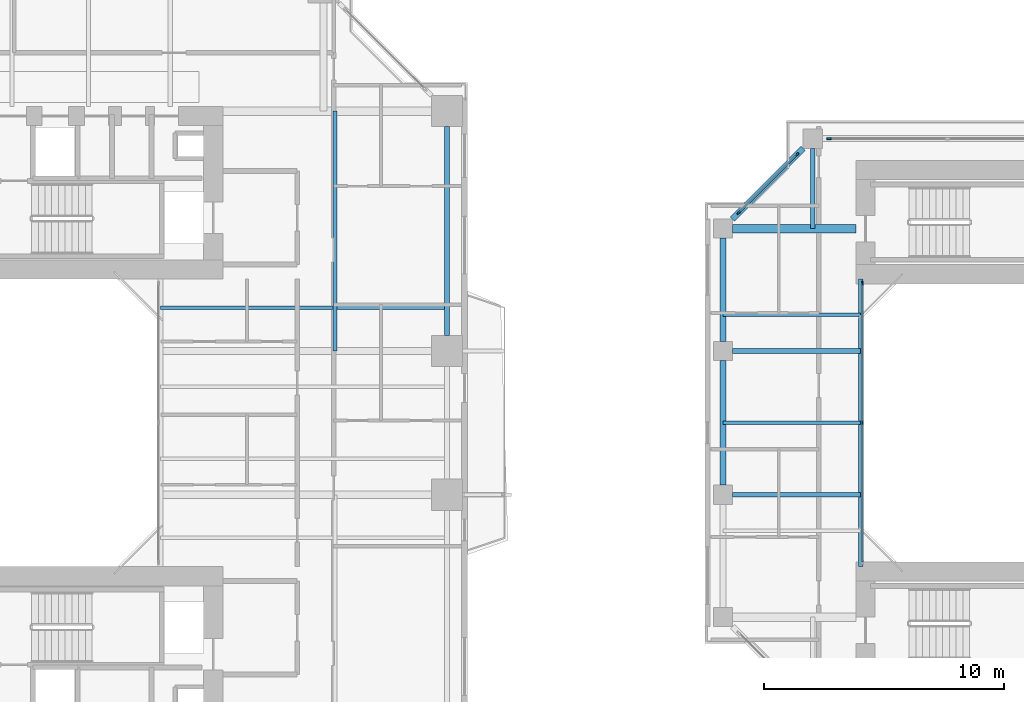
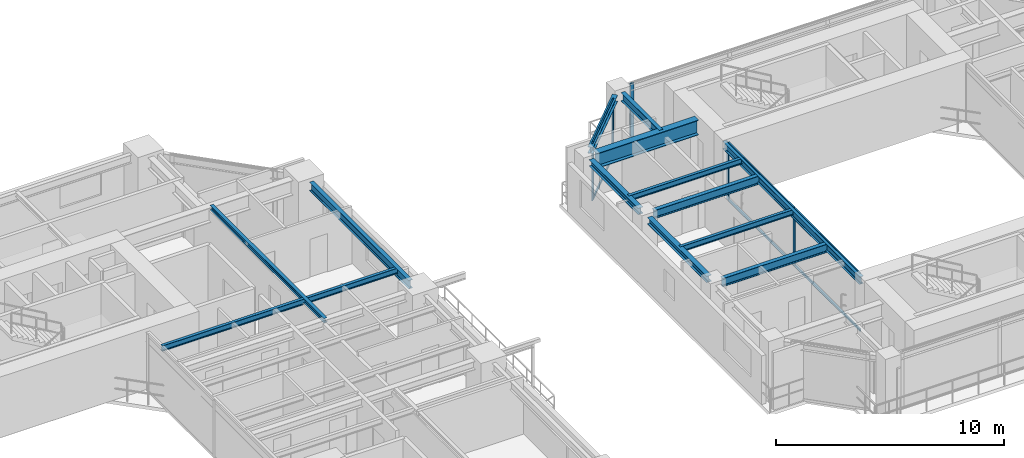
# One storey, part 8 of 23: 13 beams, 11 members, 3 elements without a shape of their own.
"""IFC4 building model written with IfcOpenShell, lengths in metres."""

from ifc_helpers import new_model, si_unit, direction, frame, origin, origin_2d, place, context, subcontext, project, spatial, rectangle, i_section, extrude, source, transform, mapped, material, layer, layer_set, material_profile, profile_set, type_object, element, aggregate, save


model = new_model("IFC4")

# Units and contexts
model_context = context("Model", 3, precision=1e-05, world=origin(), true_north=direction((0.0, 1.0)))
body_context = subcontext(model_context, "Body", "Model", "MODEL_VIEW")
ifc_project = project(units=[si_unit("LENGTHUNIT", "METRE"), si_unit("AREAUNIT", "SQUARE_METRE"), si_unit("VOLUMEUNIT", "CUBIC_METRE"), si_unit("PLANEANGLEUNIT", "RADIAN"), si_unit("MASSUNIT", "GRAM", prefix="KILO"), si_unit("THERMODYNAMICTEMPERATUREUNIT", "KELVIN"), si_unit("POWERUNIT", "WATT")], contexts=[model_context])

# Site, building, storey
site_placement = place(None, origin())
site = spatial("IfcSite", under=ifc_project, at=site_placement, CompositionType="ELEMENT")
building_placement = place(site_placement, origin())
building = spatial("IfcBuilding", under=site, at=building_placement, Name="Qiaomeng Ring Towers", CompositionType="ELEMENT")
storey_placement = place(building_placement, frame((0.0, 0.0, 79.5)))
storey = spatial("IfcBuildingStorey", under=building, at=storey_placement, Name="L22", CompositionType="ELEMENT", Elevation=79.5)

# Beams
ifc_material_1 = material(Name="Steel Q355B", Category="steel")
ifc_material_profile_1 = material_profile(ifc_material_1, i_section(OverallWidth=0.199951171875, OverallDepth=0.449951171875, WebThickness=0.009033203125, FlangeThickness=0.013916015625, FilletRadius=0.01806640625, at=origin_2d()), Name="HN 450x200x9x14")
ifc_profile_set_1 = profile_set([ifc_material_profile_1], Name="Steel Q355B")
beam_type_1 = type_object("IfcBeamType", Name="STR-BM-HN450", PredefinedType="SPANDREL", material=ifc_profile_set_1)
shared_shape_1 = source(origin(), body_context, "Body", "SweptSolid", [
    extrude(i_section(OverallWidth=0.199951171875, OverallDepth=0.449951171875, WebThickness=0.009033203125, FlangeThickness=0.013916015625, FilletRadius=0.01806640625, at=origin_2d()), origin(), (0.0, 0.0, 1.0), 8.7021484375),
])
beam_1_placement = place(storey_placement, frame((37.14990234375, 26.64892578125, 2.844970703125), z_axis=(0.0, 1.0, 0.0), x_axis=(-1.0, 0.0, 0.0)))
element("IfcBeam", 1, at=beam_1_placement, inside=storey, type_object=beam_type_1, Name="L22 beam STR-SP-L22-T1-E3-E4", PredefinedType="SPANDREL", context=body_context, shape_type="MappedRepresentation", body=[
    mapped(shared_shape_1, transform((0.0, 0.0, 0.0), x_axis=(1.0, 0.0, 0.0), y_axis=(0.0, 1.0, 0.0), z_axis=(0.0, 0.0, 1.0), scale=1.0)),
])
ifc_material_profile_2 = material_profile(ifc_material_1, i_section(OverallWidth=0.199951171875, OverallDepth=0.39990234375, WebThickness=0.008056640625, FlangeThickness=0.012939453125, FilletRadius=0.01611328125, at=origin_2d()), Name="HN 400x200x8x13")
ifc_profile_set_2 = profile_set([ifc_material_profile_2], Name="Steel Q355B")
beam_type_2 = type_object("IfcBeamType", Name="STR-BM-HN400", PredefinedType="SPANDREL", material=ifc_profile_set_2)
shared_shape_2 = source(origin(), body_context, "Body", "SweptSolid", [
    extrude(i_section(OverallWidth=0.199951171875, OverallDepth=0.39990234375, WebThickness=0.008056640625, FlangeThickness=0.012939453125, FilletRadius=0.01611328125, at=origin_2d()), origin(), (0.0, 0.0, 1.0), 12.0),
])
beam_2_placement = place(storey_placement, frame((54.39990234375, 17.0, 2.8701171875), z_axis=(0.0, 1.0, 0.0), x_axis=(-1.0, 0.0, 0.0)))
element("IfcBeam", 2, at=beam_2_placement, inside=storey, type_object=beam_type_2, Name="L22 beam STR-BM-L22-T2-WELL-W", PredefinedType="SPANDREL", context=body_context, shape_type="MappedRepresentation", body=[
    mapped(shared_shape_2, transform((0.0, 0.0, 0.0), x_axis=(1.0, 0.0, 0.0), y_axis=(0.0, 1.0, 0.0), z_axis=(0.0, 0.0, 1.0), scale=1.0)),
])
ifc_material_profile_3 = material_profile(ifc_material_1, i_section(OverallWidth=0.14990234375, OverallDepth=0.300048828125, WebThickness=0.006591796875, FlangeThickness=0.009033203125, FilletRadius=0.012939453125, at=origin_2d()), Name="HN 300x150x6.5x9")
ifc_profile_set_3 = profile_set([ifc_material_profile_3], Name="Steel Q355B")
beam_type_3 = type_object("IfcBeamType", Name="STR-BM-HN300", PredefinedType="JOIST", material=ifc_profile_set_3)
shared_shape_3 = source(origin(), body_context, "Body", "SweptSolid", [
    extrude(i_section(OverallWidth=0.14990234375, OverallDepth=0.300048828125, WebThickness=0.006591796875, FlangeThickness=0.009033203125, FilletRadius=0.012939453125, at=origin_2d()), origin(), (0.0, 0.0, 1.0), 11.949951171875),
])
beam_3_placement = place(storey_placement, frame((25.199951171875, 27.800048828125, 2.919921875), z_axis=(1.0, 0.0, 0.0), x_axis=(0.0, 1.0, 0.0)))
element("IfcBeam", 3, at=beam_3_placement, inside=storey, type_object=beam_type_3, Name="L22 beam STR-JST-L22-T1E-4", PredefinedType="JOIST", context=body_context, shape_type="MappedRepresentation", body=[
    mapped(shared_shape_3, transform((0.0, 0.0, 0.0), x_axis=(1.0, 0.0, 0.0), y_axis=(0.0, 1.0, 0.0), z_axis=(0.0, 0.0, 1.0), scale=1.0)),
])
ifc_material_profile_4 = material_profile(ifc_material_1, i_section(OverallWidth=0.175048828125, OverallDepth=0.243896484375, WebThickness=0.007080078125, FlangeThickness=0.010986328125, FilletRadius=0.01611328125, at=origin_2d()), Name="HM 244x175x7x11")
ifc_profile_set_4 = profile_set([ifc_material_profile_4], Name="Steel Q355B")
beam_type_4 = type_object("IfcBeamType", Name="STR-BM-HM244", PredefinedType="JOIST", material=ifc_profile_set_4)
shared_shape_4 = source(origin(), body_context, "Body", "SweptSolid", [
    extrude(i_section(OverallWidth=0.175048828125, OverallDepth=0.243896484375, WebThickness=0.007080078125, FlangeThickness=0.010986328125, FilletRadius=0.01611328125, at=origin_2d()), origin(), (0.0, 0.0, 1.0), 10.0),
])
beam_4_placement = place(storey_placement, frame((32.47509765625, 26.0, 2.947998046875), z_axis=(0.0, 1.0, 0.0), x_axis=(-1.0, 0.0, 0.0)))
element("IfcBeam", 4, at=beam_4_placement, inside=storey, type_object=beam_type_4, Name="L22 beam STR-JST-L22-T1C-EN", PredefinedType="JOIST", context=body_context, shape_type="MappedRepresentation", body=[
    mapped(shared_shape_4, transform((0.0, 0.0, 0.0), x_axis=(1.0, 0.0, 0.0), y_axis=(0.0, 1.0, 0.0), z_axis=(0.0, 0.0, 1.0), scale=1.0)),
])
ifc_material_profile_5 = material_profile(ifc_material_1, i_section(OverallWidth=0.25, OverallDepth=0.340087890625, WebThickness=0.009033203125, FlangeThickness=0.013916015625, FilletRadius=0.02001953125, at=origin_2d()), Name="HM 340x250x9x14")
ifc_profile_set_5 = profile_set([ifc_material_profile_5], Name="Steel Q355B")
beam_type_5 = type_object("IfcBeamType", Name="STR-BM-HM340", PredefinedType="SPANDREL", material=ifc_profile_set_5)
shared_shape_5 = source(origin(), body_context, "Body", "SweptSolid", [
    extrude(i_section(OverallWidth=0.25, OverallDepth=0.340087890625, WebThickness=0.009033203125, FlangeThickness=0.013916015625, FilletRadius=0.02001953125, at=origin_2d()), origin(), (0.0, 0.0, 1.0), 4.173828125),
])
beam_5_placement = place(storey_placement, frame((52.000732421875, 34.45068359375, 2.89990234375), z_axis=(-0.707106781187, -0.707106781187, 0.0), x_axis=(0.707106781187, -0.707106781187, 0.0)))
element("IfcBeam", 5, at=beam_5_placement, inside=storey, type_object=beam_type_5, Name="L22 beam STR-SP-L22-T2-N1-W4", PredefinedType="SPANDREL", context=body_context, shape_type="MappedRepresentation", body=[
    mapped(shared_shape_5, transform((0.0, 0.0, 0.0), x_axis=(1.0, 0.0, 0.0), y_axis=(0.0, 1.0, 0.0), z_axis=(0.0, 0.0, 1.0), scale=1.0)),
])
shared_shape_6 = source(origin(), body_context, "Body", "SweptSolid", [
    extrude(i_section(OverallWidth=0.25, OverallDepth=0.340087890625, WebThickness=0.009033203125, FlangeThickness=0.013916015625, FilletRadius=0.02001953125, at=origin_2d()), origin(), (0.0, 0.0, 1.0), 4.302001953125),
])
beam_6_placement = place(storey_placement, frame((48.64990234375, 30.700927734375, 2.89990234375), z_axis=(0.0, -1.0, 0.0), x_axis=(1.0, 0.0, 0.0)))
element("IfcBeam", 6, at=beam_6_placement, inside=storey, type_object=beam_type_5, Name="L22 beam STR-SP-L22-T2-W4-W3", PredefinedType="SPANDREL", context=body_context, shape_type="MappedRepresentation", body=[
    mapped(shared_shape_6, transform((0.0, 0.0, 0.0), x_axis=(1.0, 0.0, 0.0), y_axis=(0.0, 1.0, 0.0), z_axis=(0.0, 0.0, 1.0), scale=1.0)),
])
shared_shape_7 = source(origin(), body_context, "Body", "SweptSolid", [
    extrude(i_section(OverallWidth=0.25, OverallDepth=0.340087890625, WebThickness=0.009033203125, FlangeThickness=0.013916015625, FilletRadius=0.02001953125, at=origin_2d()), origin(), (0.0, 0.0, 1.0), 5.2021484375),
])
beam_7_placement = place(storey_placement, frame((48.64990234375, 25.60107421875, 2.89990234375), z_axis=(0.0, -1.0, 0.0), x_axis=(1.0, 0.0, 0.0)))
element("IfcBeam", 7, at=beam_7_placement, inside=storey, type_object=beam_type_5, Name="L22 beam STR-SP-L22-T2-W3-W2", PredefinedType="SPANDREL", context=body_context, shape_type="MappedRepresentation", body=[
    mapped(shared_shape_7, transform((0.0, 0.0, 0.0), x_axis=(1.0, 0.0, 0.0), y_axis=(0.0, 1.0, 0.0), z_axis=(0.0, 0.0, 1.0), scale=1.0)),
])
ifc_material_2 = material(Name="Steel Q390GJC", Category="steel")
ifc_material_profile_6 = material_profile(ifc_material_2, i_section(OverallWidth=0.35009765625, OverallDepth=0.800048828125, WebThickness=0.01611328125, FlangeThickness=0.028076171875, at=origin_2d()), Name="WH 800x350x16x28")
ifc_profile_set_6 = profile_set([ifc_material_profile_6], Name="Steel Q390GJC")
beam_type_6 = type_object("IfcBeamType", Name="STR-BM-WH800", PredefinedType="BEAM", material=ifc_profile_set_6)
shared_shape_8 = source(origin(), body_context, "Body", "SweptSolid", [
    extrude(i_section(OverallWidth=0.35009765625, OverallDepth=0.800048828125, WebThickness=0.01611328125, FlangeThickness=0.028076171875, at=origin_2d()), origin(), (0.0, 0.0, 1.0), 5.15087890625),
])
beam_8_placement = place(storey_placement, frame((49.049072265625, 31.10009765625, 2.669921875), z_axis=(1.0, 0.0, 0.0), x_axis=(0.0, 1.0, 0.0)))
element("IfcBeam", 8, at=beam_8_placement, inside=storey, type_object=beam_type_6, Name="L22 beam STR-BM-L22-T2-RAD-W4", PredefinedType="BEAM", context=body_context, shape_type="MappedRepresentation", body=[
    mapped(shared_shape_8, transform((0.0, 0.0, 0.0), x_axis=(1.0, 0.0, 0.0), y_axis=(0.0, 1.0, 0.0), z_axis=(0.0, 0.0, 1.0), scale=1.0)),
])
shared_shape_9 = source(origin(), body_context, "Body", "SweptSolid", [
    extrude(i_section(OverallWidth=0.199951171875, OverallDepth=0.449951171875, WebThickness=0.009033203125, FlangeThickness=0.013916015625, FilletRadius=0.01806640625, at=origin_2d()), origin(), (0.0, 0.0, 1.0), 5.350830078125),
])
for number, where, z_axis, x_axis, name in (
    (9, (49.049072265625, 20.0, 2.844970703125), (1.0, 0.0, 0.0), (0.0, 1.0, 0.0), "L22 beam STR-BM-L22-T2-RAD-W2"),
    (10, (49.049072265625, 26.0, 2.844970703125), (1.0, 0.0, 0.0), (0.0, 1.0, 0.0), "L22 beam STR-BM-L22-T2-RAD-W3"),
):
    element("IfcBeam", number, at=place(storey_placement, frame(where, z_axis=z_axis, x_axis=x_axis)), inside=storey, type_object=beam_type_1, Name=name, PredefinedType="SPANDREL", context=body_context, shape_type="MappedRepresentation", body=[
        mapped(shared_shape_9, transform((0.0, 0.0, 0.0), x_axis=(1.0, 0.0, 0.0), y_axis=(0.0, 1.0, 0.0), z_axis=(0.0, 0.0, 1.0), scale=1.0)),
    ])
shared_shape_10 = source(origin(), body_context, "Body", "SweptSolid", [
    extrude(i_section(OverallWidth=0.199951171875, OverallDepth=0.449951171875, WebThickness=0.009033203125, FlangeThickness=0.013916015625, FilletRadius=0.01806640625, at=origin_2d()), origin(), (0.0, 0.0, 1.0), 3.350830078125),
])
beam_9_placement = place(storey_placement, frame((52.39990234375, 34.450927734375, 2.844970703125), z_axis=(0.0, -1.0, 0.0), x_axis=(1.0, 0.0, 0.0)))
element("IfcBeam", 11, at=beam_9_placement, inside=storey, type_object=beam_type_1, Name="L22 beam STR-BM-L22-T2-RAD-N1", PredefinedType="SPANDREL", context=body_context, shape_type="MappedRepresentation", body=[
    mapped(shared_shape_10, transform((0.0, 0.0, 0.0), x_axis=(1.0, 0.0, 0.0), y_axis=(0.0, 1.0, 0.0), z_axis=(0.0, 0.0, 1.0), scale=1.0)),
])
shared_shape_11 = source(origin(), body_context, "Body", "SweptSolid", [
    extrude(i_section(OverallWidth=0.14990234375, OverallDepth=0.300048828125, WebThickness=0.006591796875, FlangeThickness=0.009033203125, FilletRadius=0.012939453125, at=origin_2d()), origin(), (0.0, 0.0, 1.0), 5.75),
])
for number, where, z_axis, x_axis, name in (
    (12, (48.64990234375, 23.0, 2.919921875), (1.0, 0.0, 0.0), (0.0, 1.0, 0.0), "L22 beam STR-JST-L22-T2W-2"),
    (13, (48.64990234375, 27.5, 2.919921875), (1.0, 0.0, 0.0), (0.0, 1.0, 0.0), "L22 beam STR-JST-L22-T2W-3"),
):
    element("IfcBeam", number, at=place(storey_placement, frame(where, z_axis=z_axis, x_axis=x_axis)), inside=storey, type_object=beam_type_3, Name=name, PredefinedType="JOIST", context=body_context, shape_type="MappedRepresentation", body=[
        mapped(shared_shape_11, transform((0.0, 0.0, 0.0), x_axis=(1.0, 0.0, 0.0), y_axis=(0.0, 1.0, 0.0), z_axis=(0.0, 0.0, 1.0), scale=1.0)),
    ])

# Curtain wall, members
ifc_material_3 = material(Name="Fluorocarbon dark-grey aluminium", Category="aluminium")
ifc_layer_1 = layer(ifc_material_3, 0.139892578125, Name="Fluorocarbon dark-grey aluminium")
ifc_layer_set_1 = layer_set([ifc_layer_1], Name="Fluorocarbon dark-grey aluminium")
curtain_wall_type_1 = type_object("IfcCurtainWallType", Name="ARC-CW-4", PredefinedType="NOTDEFINED", material=ifc_layer_set_1)
curtain_wall_1_placement = place(storey_placement, origin())
curtain_wall_1 = element("IfcCurtainWall", 14, at=curtain_wall_1_placement, inside=storey, type_object=curtain_wall_type_1, Name="L22 Curtain Wall CW4", PredefinedType="NOTDEFINED")
ifc_material_profile_7 = material_profile(ifc_material_3, rectangle(XDim=0.06494140625, YDim=0.159912109375, at=origin_2d()), Name="ALU MULL 65x160")
ifc_profile_set_7 = profile_set([ifc_material_profile_7], Name="Fluorocarbon dark-grey aluminium")
member_type_1 = type_object("IfcMemberType", Name="ARC-CWM-140", PredefinedType="MULLION", material=ifc_profile_set_7)
shared_shape_12 = source(origin(), body_context, "Body", "SweptSolid", [
    extrude(rectangle(XDim=0.06494140625, YDim=0.159912109375, at=origin_2d()), origin(), (0.0, 0.0, 1.0), 3.070068359375),
])
member_1_placement = place(storey_placement, frame((54.47998046875, 23.0, 0.0), z_axis=(0.0, 0.0, 1.0), x_axis=(-1.0, 0.0, 0.0)))
member_1 = element("IfcMember", 15, at=member_1_placement, type_object=member_type_1, Name="CW4 mullion 2", PredefinedType="MULLION", context=body_context, shape_type="MappedRepresentation", body=[
    mapped(shared_shape_12, transform((0.0, 0.0, 0.0), x_axis=(1.0, 0.0, 0.0), y_axis=(0.0, 1.0, 0.0), z_axis=(0.0, 0.0, 1.0), scale=1.0)),
])
member_2_placement = place(storey_placement, frame((54.47998046875, 28.8173828125, 0.0), z_axis=(0.0, 0.0, 1.0), x_axis=(-1.0, 0.0, 0.0)))
member_2 = element("IfcMember", 16, at=member_2_placement, type_object=member_type_1, Name="CW4 mullion 3", PredefinedType="MULLION", context=body_context, shape_type="MappedRepresentation", body=[
    mapped(shared_shape_12, transform((0.0, 0.0, 0.0), x_axis=(1.0, 0.0, 0.0), y_axis=(0.0, 1.0, 0.0), z_axis=(0.0, 0.0, 1.0), scale=1.0)),
])
ifc_material_profile_8 = material_profile(ifc_material_3, rectangle(XDim=0.06494140625, YDim=0.1298828125, at=origin_2d()), Name="ALU TRAN 65x130")
ifc_profile_set_8 = profile_set([ifc_material_profile_8], Name="Fluorocarbon dark-grey aluminium")
member_type_2 = type_object("IfcMemberType", Name="ARC-CWT-120", PredefinedType="USERDEFINED", material=ifc_profile_set_8)
shared_shape_13 = source(origin(), body_context, "Body", "SweptSolid", [
    extrude(rectangle(XDim=0.06494140625, YDim=0.1298828125, at=origin_2d()), origin(), (0.0, 0.0, 1.0), 5.75244140625),
])
member_3_placement = place(storey_placement, frame((54.47998046875, 17.215087890625, 0.032470703125), z_axis=(0.0, 1.0, 0.0), x_axis=(-1.0, 0.0, 0.0)))
member_3 = element("IfcMember", 17, at=member_3_placement, type_object=member_type_2, Name="CW4 transom 1.1", ObjectType="TRANSOM", PredefinedType="USERDEFINED", context=body_context, shape_type="MappedRepresentation", body=[
    mapped(shared_shape_13, transform((0.0, 0.0, 0.0), x_axis=(1.0, 0.0, 0.0), y_axis=(0.0, 1.0, 0.0), z_axis=(0.0, 0.0, 1.0), scale=1.0)),
])
member_4_placement = place(storey_placement, frame((54.47998046875, 17.215087890625, 3.03759765625), z_axis=(0.0, 1.0, 0.0), x_axis=(-1.0, 0.0, 0.0)))
member_4 = element("IfcMember", 18, at=member_4_placement, type_object=member_type_2, Name="CW4 transom 1.2", ObjectType="TRANSOM", PredefinedType="USERDEFINED", context=body_context, shape_type="MappedRepresentation", body=[
    mapped(shared_shape_13, transform((0.0, 0.0, 0.0), x_axis=(1.0, 0.0, 0.0), y_axis=(0.0, 1.0, 0.0), z_axis=(0.0, 0.0, 1.0), scale=1.0)),
])
member_5_placement = place(storey_placement, frame((54.47998046875, 23.032470703125, 0.032470703125), z_axis=(0.0, 1.0, 0.0), x_axis=(-1.0, 0.0, 0.0)))
member_5 = element("IfcMember", 19, at=member_5_placement, type_object=member_type_2, Name="CW4 transom 2.1", ObjectType="TRANSOM", PredefinedType="USERDEFINED", context=body_context, shape_type="MappedRepresentation", body=[
    mapped(shared_shape_13, transform((0.0, 0.0, 0.0), x_axis=(1.0, 0.0, 0.0), y_axis=(0.0, 1.0, 0.0), z_axis=(0.0, 0.0, 1.0), scale=1.0)),
])
member_6_placement = place(storey_placement, frame((54.47998046875, 23.032470703125, 3.03759765625), z_axis=(0.0, 1.0, 0.0), x_axis=(-1.0, 0.0, 0.0)))
member_6 = element("IfcMember", 20, at=member_6_placement, type_object=member_type_2, Name="CW4 transom 2.2", ObjectType="TRANSOM", PredefinedType="USERDEFINED", context=body_context, shape_type="MappedRepresentation", body=[
    mapped(shared_shape_13, transform((0.0, 0.0, 0.0), x_axis=(1.0, 0.0, 0.0), y_axis=(0.0, 1.0, 0.0), z_axis=(0.0, 0.0, 1.0), scale=1.0)),
])
aggregate(curtain_wall_1, [member_1, member_2, member_3, member_4, member_5, member_6])

# Curtain wall, member
ifc_layer_2 = layer(ifc_material_3, 0.14990234375, Name="Fluorocarbon dark-grey aluminium")
ifc_layer_set_2 = layer_set([ifc_layer_2], Name="Fluorocarbon dark-grey aluminium")
curtain_wall_type_2 = type_object("IfcCurtainWallType", Name="ARC-CW-5", PredefinedType="NOTDEFINED", material=ifc_layer_set_2)
curtain_wall_2_placement = place(storey_placement, origin())
curtain_wall_2 = element("IfcCurtainWall", 21, at=curtain_wall_2_placement, inside=storey, type_object=curtain_wall_type_2, Name="L22 Curtain Wall CW5", PredefinedType="NOTDEFINED")
ifc_material_profile_9 = material_profile(ifc_material_3, rectangle(XDim=0.070068359375, YDim=0.179931640625, at=origin_2d()), Name="ALU MULL 70x180")
ifc_profile_set_9 = profile_set([ifc_material_profile_9], Name="Fluorocarbon dark-grey aluminium")
member_type_3 = type_object("IfcMemberType", Name="ARC-CWM-160", PredefinedType="MULLION", material=ifc_profile_set_9)
shared_shape_14 = source(origin(), body_context, "Body", "SweptSolid", [
    extrude(rectangle(XDim=0.070068359375, YDim=0.179931640625, at=origin_2d()), origin(), (0.0, 0.0, 1.0), 3.070068359375),
])
member_7_placement = place(storey_placement, frame((53.074951171875, 34.85009765625, 0.0), z_axis=(0.0, 0.0, 1.0), x_axis=(0.0, 1.0, 0.0)))
member_7 = element("IfcMember", 22, at=member_7_placement, type_object=member_type_3, Name="CW5 mullion 1", PredefinedType="MULLION", context=body_context, shape_type="MappedRepresentation", body=[
    mapped(shared_shape_14, transform((0.0, 0.0, 0.0), x_axis=(1.0, 0.0, 0.0), y_axis=(0.0, 1.0, 0.0), z_axis=(0.0, 0.0, 1.0), scale=1.0)),
])
aggregate(curtain_wall_2, [member_7])

# Curtain wall, members
curtain_wall_3_placement = place(storey_placement, origin())
curtain_wall_3 = element("IfcCurtainWall", 23, at=curtain_wall_3_placement, inside=storey, type_object=curtain_wall_type_2, Name="L22 Curtain Wall CW5", PredefinedType="NOTDEFINED")
member_8_placement = place(storey_placement, frame((51.7353515625, 34.185302734375, 0.0), z_axis=(0.0, 0.0, 1.0), x_axis=(0.707106781187, -0.707106781187, 0.0)))
member_8 = element("IfcMember", 24, at=member_8_placement, type_object=member_type_3, Name="CW5 mullion 1", PredefinedType="MULLION", context=body_context, shape_type="MappedRepresentation", body=[
    mapped(shared_shape_14, transform((0.0, 0.0, 0.0), x_axis=(1.0, 0.0, 0.0), y_axis=(0.0, 1.0, 0.0), z_axis=(0.0, 0.0, 1.0), scale=1.0)),
])
member_9_placement = place(storey_placement, frame((49.314697265625, 31.7646484375, 0.0), z_axis=(0.0, 0.0, 1.0), x_axis=(0.707106781187, -0.707106781187, 0.0)))
member_9 = element("IfcMember", 25, at=member_9_placement, type_object=member_type_3, Name="CW5 mullion 2", PredefinedType="MULLION", context=body_context, shape_type="MappedRepresentation", body=[
    mapped(shared_shape_14, transform((0.0, 0.0, 0.0), x_axis=(1.0, 0.0, 0.0), y_axis=(0.0, 1.0, 0.0), z_axis=(0.0, 0.0, 1.0), scale=1.0)),
])
shared_shape_15 = source(origin(), body_context, "Body", "SweptSolid", [
    extrude(rectangle(XDim=0.06494140625, YDim=0.1298828125, at=origin_2d()), origin(), (0.0, 0.0, 1.0), 3.352783203125),
])
member_10_placement = place(storey_placement, frame((51.71044921875, 34.160400390625, 0.032470703125), z_axis=(-0.707106781187, -0.707106781187, 0.0), x_axis=(0.707106781187, -0.707106781187, 0.0)))
member_10 = element("IfcMember", 26, at=member_10_placement, type_object=member_type_2, Name="CW5 transom 1.1", ObjectType="TRANSOM", PredefinedType="USERDEFINED", context=body_context, shape_type="MappedRepresentation", body=[
    mapped(shared_shape_15, transform((0.0, 0.0, 0.0), x_axis=(1.0, 0.0, 0.0), y_axis=(0.0, 1.0, 0.0), z_axis=(0.0, 0.0, 1.0), scale=1.0)),
])
member_11_placement = place(storey_placement, frame((51.71044921875, 34.160400390625, 3.03759765625), z_axis=(-0.707106781187, -0.707106781187, 0.0), x_axis=(0.707106781187, -0.707106781187, 0.0)))
member_11 = element("IfcMember", 27, at=member_11_placement, type_object=member_type_2, Name="CW5 transom 1.2", ObjectType="TRANSOM", PredefinedType="USERDEFINED", context=body_context, shape_type="MappedRepresentation", body=[
    mapped(shared_shape_15, transform((0.0, 0.0, 0.0), x_axis=(1.0, 0.0, 0.0), y_axis=(0.0, 1.0, 0.0), z_axis=(0.0, 0.0, 1.0), scale=1.0)),
])
aggregate(curtain_wall_3, [member_8, member_9, member_10, member_11])

save(model, "model.ifc")
